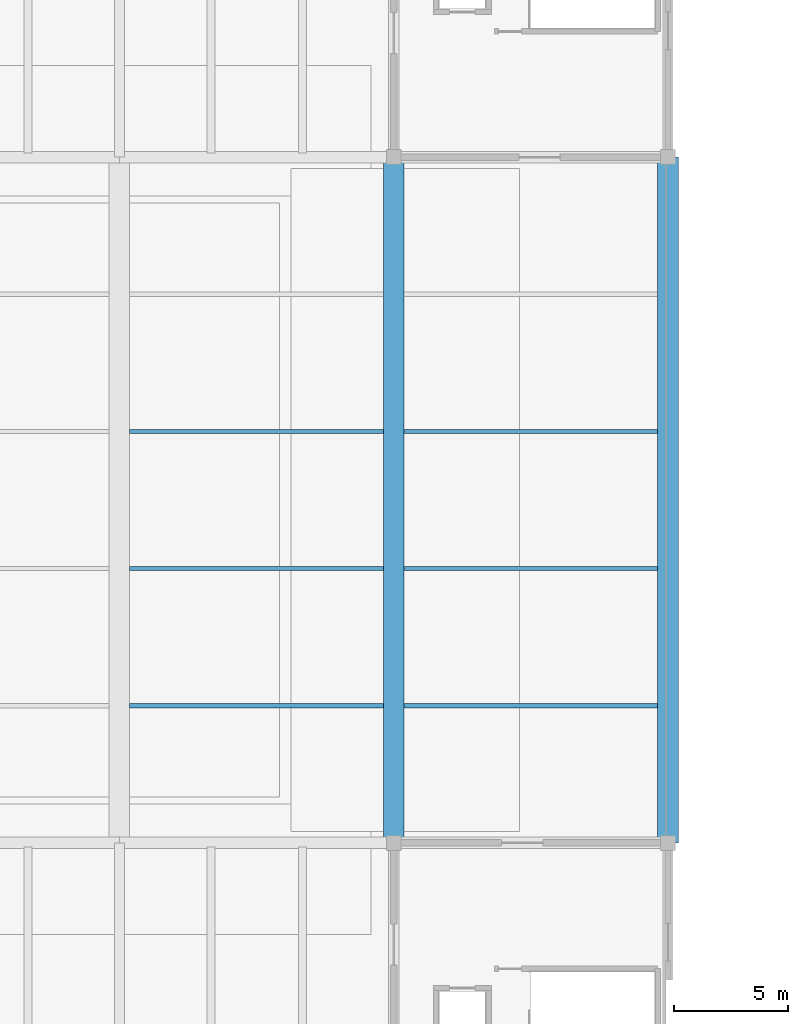
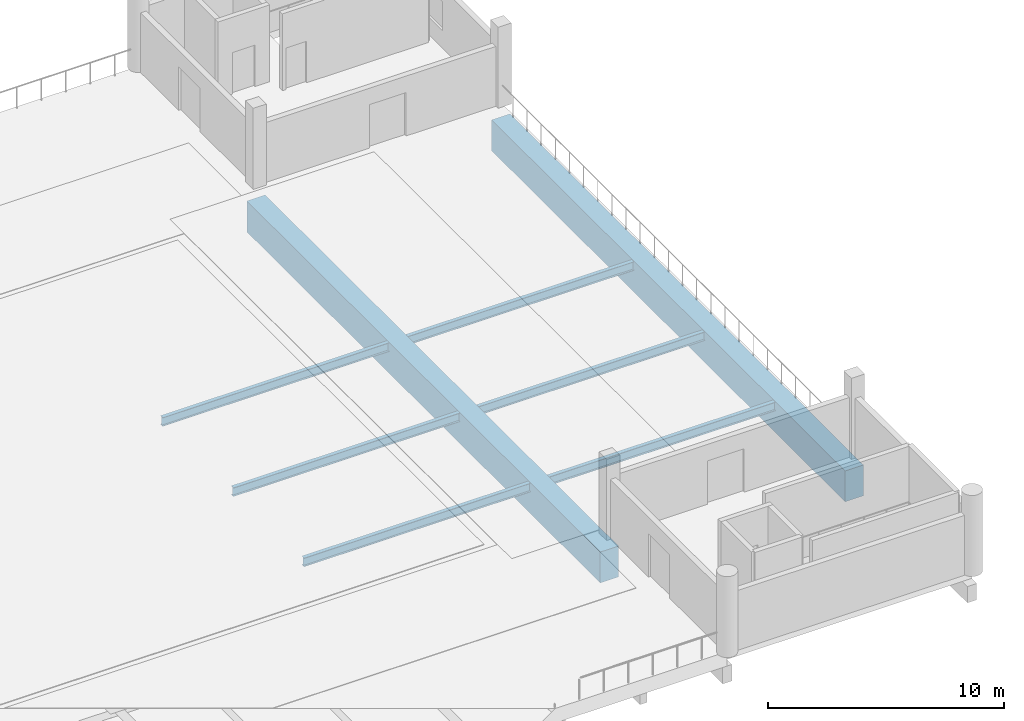
# One storey, part 13 of 111: 8 beams.
"""IFC4 building model written with IfcOpenShell, lengths in metres."""

from ifc_helpers import new_model, si_unit, direction, frame, origin, origin_2d, place, context, subcontext, project, spatial, rectangle, i_section, extrude, material, material_profile, profile_set, type_object, element, save


model = new_model("IFC4")

# Units and contexts
model_context = context("Model", 3, precision=1e-05, world=origin(), true_north=direction((0.0, 1.0)))
body_context = subcontext(model_context, "Body", "Model", "MODEL_VIEW")
ifc_project = project(units=[si_unit("LENGTHUNIT", "METRE"), si_unit("AREAUNIT", "SQUARE_METRE"), si_unit("VOLUMEUNIT", "CUBIC_METRE"), si_unit("PLANEANGLEUNIT", "RADIAN"), si_unit("MASSUNIT", "GRAM", prefix="KILO")], contexts=[model_context])

# Site, building, storey
site_placement = place(None, origin())
site = spatial("IfcSite", under=ifc_project, at=site_placement, CompositionType="ELEMENT")
building_placement = place(site_placement, origin())
building = spatial("IfcBuilding", under=site, at=building_placement, Name="Mersad Railyard Sports Hall", CompositionType="ELEMENT")
storey_placement = place(building_placement, frame((0.0, 0.0, 9.0)))
storey = spatial("IfcBuildingStorey", under=building, at=storey_placement, Name="L02", CompositionType="ELEMENT", Elevation=9.0)

# Beams
ifc_material_1 = material(Name="Steel S355", Category="steel")
ifc_material_profile_1 = material_profile(ifc_material_1, i_section(OverallWidth=0.18994140625, OverallDepth=0.449951171875, WebThickness=0.009521484375, FlangeThickness=0.0146484375, at=origin_2d()), Name="IPE 450")
ifc_profile_set_1 = profile_set([ifc_material_profile_1], Name="Steel S355")
beam_type_1 = type_object("IfcBeamType", Name="STR-BM-SB01", PredefinedType="BEAM", material=ifc_profile_set_1)
for number, where, z_axis, x_axis, name in (
    (1, (67.449951171875, 19.5, -0.985107421875), (1.0, 0.0, 0.0), (0.0, 1.0, 0.0), "Beam SB01-0496"),
    (2, (67.449951171875, 25.5, -0.985107421875), (1.0, 0.0, 0.0), (0.0, 1.0, 0.0), "Beam SB01-0497"),
    (3, (67.449951171875, 31.5, -0.985107421875), (1.0, 0.0, 0.0), (0.0, 1.0, 0.0), "Beam SB01-0498"),
    (4, (79.449951171875, 19.5, -0.985107421875), (1.0, 0.0, 0.0), (0.0, 1.0, 0.0), "Beam SB01-0500"),
    (5, (79.449951171875, 25.5, -0.985107421875), (1.0, 0.0, 0.0), (0.0, 1.0, 0.0), "Beam SB01-0501"),
    (6, (79.449951171875, 31.5, -0.985107421875), (1.0, 0.0, 0.0), (0.0, 1.0, 0.0), "Beam SB01-0502"),
):
    element("IfcBeam", number, at=place(storey_placement, frame(where, z_axis=z_axis, x_axis=x_axis)), inside=storey, type_object=beam_type_1, Name=name, PredefinedType="BEAM", context=body_context, shape_type="SweptSolid", body=[
        extrude(i_section(OverallWidth=0.18994140625, OverallDepth=0.449951171875, WebThickness=0.009521484375, FlangeThickness=0.0146484375, at=origin_2d()), origin(), (0.0, 0.0, 1.0), 11.10009765625),
    ])
ifc_material_2 = material(Name="Post-tensioned concrete C50/60", Category="concrete")
ifc_material_profile_2 = material_profile(ifc_material_2, rectangle(XDim=0.89990234375, YDim=1.60009765625, at=origin_2d()), Name="PT 900x1600")
ifc_profile_set_2 = profile_set([ifc_material_profile_2], Name="Post-tensioned concrete C50/60")
beam_type_2 = type_object("IfcBeamType", Name="STR-BM-TG01", PredefinedType="USERDEFINED", material=ifc_profile_set_2)
for number, where, z_axis, x_axis, name in (
    (7, (79.0, 13.5, -1.550048828125), (0.0, 1.0, 0.0), (-1.0, 0.0, 0.0), "Transfer girder TG01-0422"),
    (8, (91.0, 13.5, -1.550048828125), (0.0, 1.0, 0.0), (-1.0, 0.0, 0.0), "Transfer girder TG01-0423"),
):
    element("IfcBeam", number, at=place(storey_placement, frame(where, z_axis=z_axis, x_axis=x_axis)), inside=storey, type_object=beam_type_2, Name=name, ObjectType="GIRDER", PredefinedType="USERDEFINED", context=body_context, shape_type="SweptSolid", body=[
        extrude(rectangle(XDim=0.89990234375, YDim=1.60009765625, at=origin_2d()), origin(), (0.0, 0.0, 1.0), 30.0),
    ])

save(model, "model.ifc")
